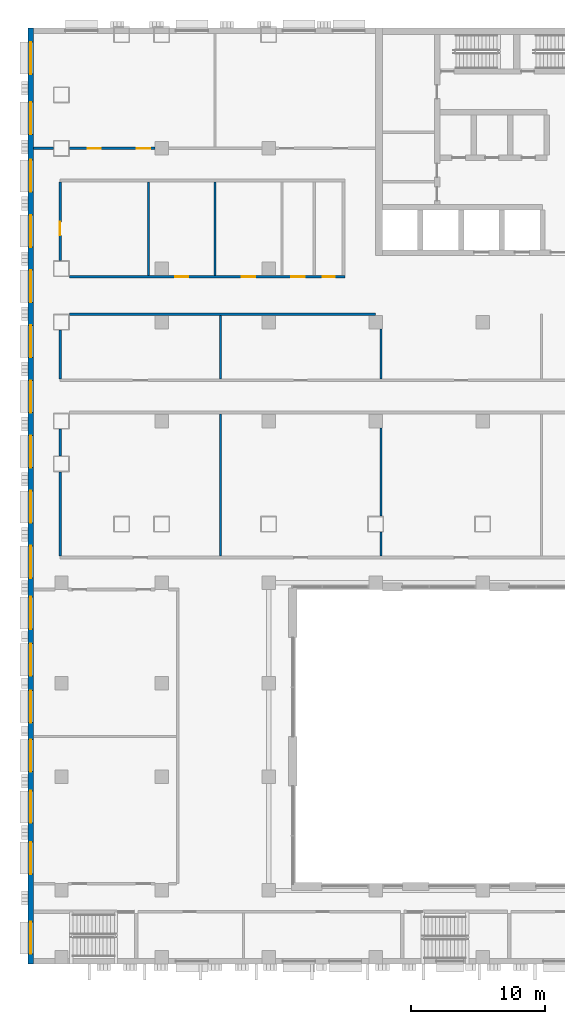
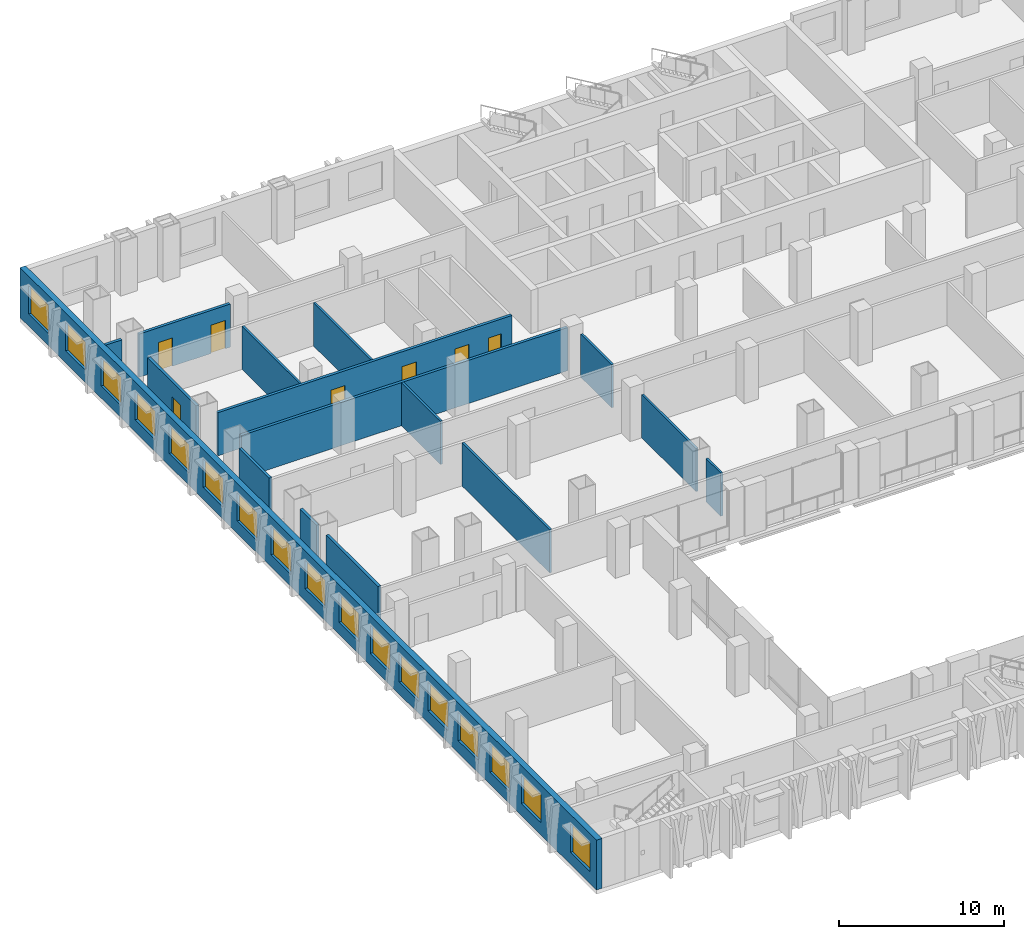
# One storey, part 10 of 24: 17 windows, 16 walls, 7 doors, 24 openings.
"""IFC4 building model written with IfcOpenShell, lengths in metres."""

from ifc_helpers import new_model, si_unit, direction, frame, frame_2d, origin, place, context, subcontext, project, spatial, rectangle, extrude, material, layer, layer_set, type_object, element, fill, save


model = new_model("IFC4")

# Units and contexts
model_context = context("Model", 3, precision=1e-05, world=origin(), true_north=direction((0.0, 1.0)))
body_context = subcontext(model_context, "Body", "Model", "MODEL_VIEW")
ifc_project = project(units=[si_unit("LENGTHUNIT", "METRE"), si_unit("AREAUNIT", "SQUARE_METRE"), si_unit("VOLUMEUNIT", "CUBIC_METRE"), si_unit("PLANEANGLEUNIT", "RADIAN"), si_unit("MASSUNIT", "GRAM", prefix="KILO")], contexts=[model_context])

# Site, building, storey
site_placement = place(None, origin())
site = spatial("IfcSite", under=ifc_project, at=site_placement, CompositionType="ELEMENT")
building_placement = place(site_placement, origin())
building = spatial("IfcBuilding", under=site, at=building_placement, Name="Vidyagriha Tower", CompositionType="ELEMENT")
storey_placement = place(building_placement, frame((0.0, 0.0, 22.0)))
storey = spatial("IfcBuildingStorey", under=building, at=storey_placement, Name="L05", CompositionType="ELEMENT", Elevation=22.0)

# Wall, openings, windows
ifc_material_1 = material(Name="Concrete C40/50 board-marked with brick facing", Category="concrete")
ifc_layer_1 = layer(ifc_material_1, 0.39990234375)
ifc_layer_set_1 = layer_set([ifc_layer_1], Name="Concrete C40/50 board-marked with brick facing")
wall_type_1 = type_object("IfcWallType", Name="Brick-faced board-marked concrete podium wall 400", PredefinedType="STANDARD", material=ifc_layer_set_1)
wall_1_placement = place(storey_placement, frame((-39.800048828125, 20.0, 0.0), z_axis=(0.0, 0.0, 1.0), x_axis=(0.0, -1.0, 0.0)))
wall_1 = element("IfcWall", 1, at=wall_1_placement, inside=storey, type_object=wall_type_1, Name="Podium wall L05 R05", PredefinedType="STANDARD", context=body_context, shape_type="SweptSolid", body=[
    extrude(rectangle(XDim=70.0, YDim=0.39990234375, at=frame_2d((35.0, 0.0))), origin(), (0.0, 0.0, 1.0), 3.699951171875),
])
opening_1_placement = place(wall_1_placement, frame((1.050048828125, 0.0, 0.89990234375)))
opening_1 = element("IfcOpeningElement", 2, at=opening_1_placement, cuts=wall_1, Name="Opening WN3", PredefinedType="OPENING", context=body_context, shape_type="SweptSolid", body=[
    extrude(rectangle(XDim=2.39990234375, YDim=2.10009765625, at=frame_2d((1.199951171875, 1.050048828125))), frame((0.0, 0.2099609375, 0.0), z_axis=(0.0, -1.0, 0.0), x_axis=(1.0, 0.0, 0.0)), (0.0, 0.0, 1.0), 0.419921875),
])
opening_2_placement = place(wall_1_placement, frame((5.550048828125, 0.0, 0.89990234375)))
opening_2 = element("IfcOpeningElement", 3, at=opening_2_placement, cuts=wall_1, Name="Opening WN3", PredefinedType="OPENING", context=body_context, shape_type="SweptSolid", body=[
    extrude(rectangle(XDim=2.39990234375, YDim=2.10009765625, at=frame_2d((1.199951171875, 1.050048828125))), frame((0.0, 0.2099609375, 0.0), z_axis=(0.0, -1.0, 0.0), x_axis=(1.0, 0.0, 0.0)), (0.0, 0.0, 1.0), 0.419921875),
])
opening_3_placement = place(wall_1_placement, frame((9.862548828125, 0.0, 0.89990234375)))
opening_3 = element("IfcOpeningElement", 4, at=opening_3_placement, cuts=wall_1, Name="Opening WN3", PredefinedType="OPENING", context=body_context, shape_type="SweptSolid", body=[
    extrude(rectangle(XDim=2.39990234375, YDim=2.10009765625, at=frame_2d((1.199951171875, 1.050048828125))), frame((0.0, 0.2099609375, 0.0), z_axis=(0.0, -1.0, 0.0), x_axis=(1.0, 0.0, 0.0)), (0.0, 0.0, 1.0), 0.419921875),
])
opening_4_placement = place(wall_1_placement, frame((13.987548828125, 0.0, 0.89990234375)))
opening_4 = element("IfcOpeningElement", 5, at=opening_4_placement, cuts=wall_1, Name="Opening WN3", PredefinedType="OPENING", context=body_context, shape_type="SweptSolid", body=[
    extrude(rectangle(XDim=2.39990234375, YDim=2.10009765625, at=frame_2d((1.199951171875, 1.050048828125))), frame((0.0, 0.2099609375, 0.0), z_axis=(0.0, -1.0, 0.0), x_axis=(1.0, 0.0, 0.0)), (0.0, 0.0, 1.0), 0.419921875),
])
opening_5_placement = place(wall_1_placement, frame((18.112548828125, 0.0, 0.89990234375)))
opening_5 = element("IfcOpeningElement", 6, at=opening_5_placement, cuts=wall_1, Name="Opening WN3", PredefinedType="OPENING", context=body_context, shape_type="SweptSolid", body=[
    extrude(rectangle(XDim=2.39990234375, YDim=2.10009765625, at=frame_2d((1.199951171875, 1.050048828125))), frame((0.0, 0.2099609375, 0.0), z_axis=(0.0, -1.0, 0.0), x_axis=(1.0, 0.0, 0.0)), (0.0, 0.0, 1.0), 0.419921875),
])
opening_6_placement = place(wall_1_placement, frame((22.237548828125, 0.0, 0.89990234375)))
opening_6 = element("IfcOpeningElement", 7, at=opening_6_placement, cuts=wall_1, Name="Opening WN3", PredefinedType="OPENING", context=body_context, shape_type="SweptSolid", body=[
    extrude(rectangle(XDim=2.39990234375, YDim=2.10009765625, at=frame_2d((1.199951171875, 1.050048828125))), frame((0.0, 0.2099609375, 0.0), z_axis=(0.0, -1.0, 0.0), x_axis=(1.0, 0.0, 0.0)), (0.0, 0.0, 1.0), 0.419921875),
])
opening_7_placement = place(wall_1_placement, frame((26.362548828125, 0.0, 0.89990234375)))
opening_7 = element("IfcOpeningElement", 8, at=opening_7_placement, cuts=wall_1, Name="Opening WN3", PredefinedType="OPENING", context=body_context, shape_type="SweptSolid", body=[
    extrude(rectangle(XDim=2.39990234375, YDim=2.10009765625, at=frame_2d((1.199951171875, 1.050048828125))), frame((0.0, 0.2099609375, 0.0), z_axis=(0.0, -1.0, 0.0), x_axis=(1.0, 0.0, 0.0)), (0.0, 0.0, 1.0), 0.419921875),
])
opening_8_placement = place(wall_1_placement, frame((30.487548828125, 0.0, 0.89990234375)))
opening_8 = element("IfcOpeningElement", 9, at=opening_8_placement, cuts=wall_1, Name="Opening WN3", PredefinedType="OPENING", context=body_context, shape_type="SweptSolid", body=[
    extrude(rectangle(XDim=2.39990234375, YDim=2.10009765625, at=frame_2d((1.199951171875, 1.050048828125))), frame((0.0, 0.2099609375, 0.0), z_axis=(0.0, -1.0, 0.0), x_axis=(1.0, 0.0, 0.0)), (0.0, 0.0, 1.0), 0.419921875),
])
opening_9_placement = place(wall_1_placement, frame((34.612548828125, 0.0, 0.89990234375)))
opening_9 = element("IfcOpeningElement", 10, at=opening_9_placement, cuts=wall_1, Name="Opening WN3", PredefinedType="OPENING", context=body_context, shape_type="SweptSolid", body=[
    extrude(rectangle(XDim=2.39990234375, YDim=2.10009765625, at=frame_2d((1.199951171875, 1.050048828125))), frame((0.0, 0.2099609375, 0.0), z_axis=(0.0, -1.0, 0.0), x_axis=(1.0, 0.0, 0.0)), (0.0, 0.0, 1.0), 0.419921875),
])
opening_10_placement = place(wall_1_placement, frame((38.737548828125, 0.0, 0.89990234375)))
opening_10 = element("IfcOpeningElement", 11, at=opening_10_placement, cuts=wall_1, Name="Opening WN3", PredefinedType="OPENING", context=body_context, shape_type="SweptSolid", body=[
    extrude(rectangle(XDim=2.39990234375, YDim=2.10009765625, at=frame_2d((1.199951171875, 1.050048828125))), frame((0.0, 0.2099609375, 0.0), z_axis=(0.0, -1.0, 0.0), x_axis=(1.0, 0.0, 0.0)), (0.0, 0.0, 1.0), 0.419921875),
])
opening_11_placement = place(wall_1_placement, frame((42.550048828125, 0.0, 0.89990234375)))
opening_11 = element("IfcOpeningElement", 12, at=opening_11_placement, cuts=wall_1, Name="Opening WN3", PredefinedType="OPENING", context=body_context, shape_type="SweptSolid", body=[
    extrude(rectangle(XDim=2.39990234375, YDim=2.10009765625, at=frame_2d((1.199951171875, 1.050048828125))), frame((0.0, 0.2099609375, 0.0), z_axis=(0.0, -1.0, 0.0), x_axis=(1.0, 0.0, 0.0)), (0.0, 0.0, 1.0), 0.419921875),
])
opening_12_placement = place(wall_1_placement, frame((46.050048828125, 0.0, 0.89990234375)))
opening_12 = element("IfcOpeningElement", 13, at=opening_12_placement, cuts=wall_1, Name="Opening WN3", PredefinedType="OPENING", context=body_context, shape_type="SweptSolid", body=[
    extrude(rectangle(XDim=2.39990234375, YDim=2.10009765625, at=frame_2d((1.199951171875, 1.050048828125))), frame((0.0, 0.2099609375, 0.0), z_axis=(0.0, -1.0, 0.0), x_axis=(1.0, 0.0, 0.0)), (0.0, 0.0, 1.0), 0.419921875),
])
opening_13_placement = place(wall_1_placement, frame((49.550048828125, 0.0, 0.89990234375)))
opening_13 = element("IfcOpeningElement", 14, at=opening_13_placement, cuts=wall_1, Name="Opening WN3", PredefinedType="OPENING", context=body_context, shape_type="SweptSolid", body=[
    extrude(rectangle(XDim=2.39990234375, YDim=2.10009765625, at=frame_2d((1.199951171875, 1.050048828125))), frame((0.0, 0.2099609375, 0.0), z_axis=(0.0, -1.0, 0.0), x_axis=(1.0, 0.0, 0.0)), (0.0, 0.0, 1.0), 0.419921875),
])
opening_14_placement = place(wall_1_placement, frame((53.216796875, 0.0, 0.89990234375)))
opening_14 = element("IfcOpeningElement", 15, at=opening_14_placement, cuts=wall_1, Name="Opening WN3", PredefinedType="OPENING", context=body_context, shape_type="SweptSolid", body=[
    extrude(rectangle(XDim=2.39990234375, YDim=2.10009765625, at=frame_2d((1.199951171875, 1.050048828125))), frame((0.0, 0.2099609375, 0.0), z_axis=(0.0, -1.0, 0.0), x_axis=(1.0, 0.0, 0.0)), (0.0, 0.0, 1.0), 0.419921875),
])
opening_15_placement = place(wall_1_placement, frame((57.050048828125, 0.0, 0.89990234375)))
opening_15 = element("IfcOpeningElement", 16, at=opening_15_placement, cuts=wall_1, Name="Opening WN3", PredefinedType="OPENING", context=body_context, shape_type="SweptSolid", body=[
    extrude(rectangle(XDim=2.39990234375, YDim=2.10009765625, at=frame_2d((1.199951171875, 1.050048828125))), frame((0.0, 0.2099609375, 0.0), z_axis=(0.0, -1.0, 0.0), x_axis=(1.0, 0.0, 0.0)), (0.0, 0.0, 1.0), 0.419921875),
])
opening_16_placement = place(wall_1_placement, frame((60.88330078125, 0.0, 0.89990234375)))
opening_16 = element("IfcOpeningElement", 17, at=opening_16_placement, cuts=wall_1, Name="Opening WN3", PredefinedType="OPENING", context=body_context, shape_type="SweptSolid", body=[
    extrude(rectangle(XDim=2.39990234375, YDim=2.10009765625, at=frame_2d((1.199951171875, 1.050048828125))), frame((0.0, 0.2099609375, 0.0), z_axis=(0.0, -1.0, 0.0), x_axis=(1.0, 0.0, 0.0)), (0.0, 0.0, 1.0), 0.419921875),
])
opening_17_placement = place(wall_1_placement, frame((66.85009765625, 0.0, 0.89990234375)))
opening_17 = element("IfcOpeningElement", 18, at=opening_17_placement, cuts=wall_1, Name="Opening WN3", PredefinedType="OPENING", context=body_context, shape_type="SweptSolid", body=[
    extrude(rectangle(XDim=2.39990234375, YDim=2.10009765625, at=frame_2d((1.199951171875, 1.050048828125))), frame((0.0, 0.2099609375, 0.0), z_axis=(0.0, -1.0, 0.0), x_axis=(1.0, 0.0, 0.0)), (0.0, 0.0, 1.0), 0.419921875),
])
ifc_material_2 = material(Name="Aluminium and glass window", Category="aluminium")
window_type = type_object("IfcWindowType", Name="Podium school window 2400x2100", PartitioningType="NOTDEFINED", PredefinedType="WINDOW", material=ifc_material_2)
window_1_placement = place(opening_1_placement, origin())
window_1 = element("IfcWindow", 19, at=window_1_placement, inside=storey, type_object=window_type, Name="School window L05 R05.1", OverallHeight=2.10009765625, OverallWidth=2.39990234375, PartitioningType="SINGLE_PANEL", PredefinedType="WINDOW", context=body_context, shape_type="SweptSolid", body=[
    extrude(rectangle(XDim=2.39990234375, YDim=2.10009765625, at=frame_2d((1.199951171875, 1.050048828125))), frame((0.0, 0.030029296875, 0.0), z_axis=(0.0, -1.0, 0.0), x_axis=(1.0, 0.0, 0.0)), (0.0, 0.0, 1.0), 0.06005859375),
])
fill(opening_1, window_1)
window_2_placement = place(opening_2_placement, origin())
window_2 = element("IfcWindow", 20, at=window_2_placement, inside=storey, type_object=window_type, Name="School window L05 R05.2", OverallHeight=2.10009765625, OverallWidth=2.39990234375, PartitioningType="SINGLE_PANEL", PredefinedType="WINDOW", context=body_context, shape_type="SweptSolid", body=[
    extrude(rectangle(XDim=2.39990234375, YDim=2.10009765625, at=frame_2d((1.199951171875, 1.050048828125))), frame((0.0, 0.030029296875, 0.0), z_axis=(0.0, -1.0, 0.0), x_axis=(1.0, 0.0, 0.0)), (0.0, 0.0, 1.0), 0.06005859375),
])
fill(opening_2, window_2)
window_3_placement = place(opening_3_placement, origin())
window_3 = element("IfcWindow", 21, at=window_3_placement, inside=storey, type_object=window_type, Name="School window L05 R05.3", OverallHeight=2.10009765625, OverallWidth=2.39990234375, PartitioningType="SINGLE_PANEL", PredefinedType="WINDOW", context=body_context, shape_type="SweptSolid", body=[
    extrude(rectangle(XDim=2.39990234375, YDim=2.10009765625, at=frame_2d((1.199951171875, 1.050048828125))), frame((0.0, 0.030029296875, 0.0), z_axis=(0.0, -1.0, 0.0), x_axis=(1.0, 0.0, 0.0)), (0.0, 0.0, 1.0), 0.06005859375),
])
fill(opening_3, window_3)
window_4_placement = place(opening_4_placement, origin())
window_4 = element("IfcWindow", 22, at=window_4_placement, inside=storey, type_object=window_type, Name="School window L05 R05.4", OverallHeight=2.10009765625, OverallWidth=2.39990234375, PartitioningType="SINGLE_PANEL", PredefinedType="WINDOW", context=body_context, shape_type="SweptSolid", body=[
    extrude(rectangle(XDim=2.39990234375, YDim=2.10009765625, at=frame_2d((1.199951171875, 1.050048828125))), frame((0.0, 0.030029296875, 0.0), z_axis=(0.0, -1.0, 0.0), x_axis=(1.0, 0.0, 0.0)), (0.0, 0.0, 1.0), 0.06005859375),
])
fill(opening_4, window_4)
window_5_placement = place(opening_5_placement, origin())
window_5 = element("IfcWindow", 23, at=window_5_placement, inside=storey, type_object=window_type, Name="School window L05 R05.5", OverallHeight=2.10009765625, OverallWidth=2.39990234375, PartitioningType="SINGLE_PANEL", PredefinedType="WINDOW", context=body_context, shape_type="SweptSolid", body=[
    extrude(rectangle(XDim=2.39990234375, YDim=2.10009765625, at=frame_2d((1.199951171875, 1.050048828125))), frame((0.0, 0.030029296875, 0.0), z_axis=(0.0, -1.0, 0.0), x_axis=(1.0, 0.0, 0.0)), (0.0, 0.0, 1.0), 0.06005859375),
])
fill(opening_5, window_5)
window_6_placement = place(opening_6_placement, origin())
window_6 = element("IfcWindow", 24, at=window_6_placement, inside=storey, type_object=window_type, Name="School window L05 R05.6", OverallHeight=2.10009765625, OverallWidth=2.39990234375, PartitioningType="SINGLE_PANEL", PredefinedType="WINDOW", context=body_context, shape_type="SweptSolid", body=[
    extrude(rectangle(XDim=2.39990234375, YDim=2.10009765625, at=frame_2d((1.199951171875, 1.050048828125))), frame((0.0, 0.030029296875, 0.0), z_axis=(0.0, -1.0, 0.0), x_axis=(1.0, 0.0, 0.0)), (0.0, 0.0, 1.0), 0.06005859375),
])
fill(opening_6, window_6)
window_7_placement = place(opening_7_placement, origin())
window_7 = element("IfcWindow", 25, at=window_7_placement, inside=storey, type_object=window_type, Name="School window L05 R05.7", OverallHeight=2.10009765625, OverallWidth=2.39990234375, PartitioningType="SINGLE_PANEL", PredefinedType="WINDOW", context=body_context, shape_type="SweptSolid", body=[
    extrude(rectangle(XDim=2.39990234375, YDim=2.10009765625, at=frame_2d((1.199951171875, 1.050048828125))), frame((0.0, 0.030029296875, 0.0), z_axis=(0.0, -1.0, 0.0), x_axis=(1.0, 0.0, 0.0)), (0.0, 0.0, 1.0), 0.06005859375),
])
fill(opening_7, window_7)
window_8_placement = place(opening_8_placement, origin())
window_8 = element("IfcWindow", 26, at=window_8_placement, inside=storey, type_object=window_type, Name="School window L05 R05.8", OverallHeight=2.10009765625, OverallWidth=2.39990234375, PartitioningType="SINGLE_PANEL", PredefinedType="WINDOW", context=body_context, shape_type="SweptSolid", body=[
    extrude(rectangle(XDim=2.39990234375, YDim=2.10009765625, at=frame_2d((1.199951171875, 1.050048828125))), frame((0.0, 0.030029296875, 0.0), z_axis=(0.0, -1.0, 0.0), x_axis=(1.0, 0.0, 0.0)), (0.0, 0.0, 1.0), 0.06005859375),
])
fill(opening_8, window_8)
window_9_placement = place(opening_9_placement, origin())
window_9 = element("IfcWindow", 27, at=window_9_placement, inside=storey, type_object=window_type, Name="School window L05 R05.9", OverallHeight=2.10009765625, OverallWidth=2.39990234375, PartitioningType="SINGLE_PANEL", PredefinedType="WINDOW", context=body_context, shape_type="SweptSolid", body=[
    extrude(rectangle(XDim=2.39990234375, YDim=2.10009765625, at=frame_2d((1.199951171875, 1.050048828125))), frame((0.0, 0.030029296875, 0.0), z_axis=(0.0, -1.0, 0.0), x_axis=(1.0, 0.0, 0.0)), (0.0, 0.0, 1.0), 0.06005859375),
])
fill(opening_9, window_9)
window_10_placement = place(opening_10_placement, origin())
window_10 = element("IfcWindow", 28, at=window_10_placement, inside=storey, type_object=window_type, Name="School window L05 R05.10", OverallHeight=2.10009765625, OverallWidth=2.39990234375, PartitioningType="SINGLE_PANEL", PredefinedType="WINDOW", context=body_context, shape_type="SweptSolid", body=[
    extrude(rectangle(XDim=2.39990234375, YDim=2.10009765625, at=frame_2d((1.199951171875, 1.050048828125))), frame((0.0, 0.030029296875, 0.0), z_axis=(0.0, -1.0, 0.0), x_axis=(1.0, 0.0, 0.0)), (0.0, 0.0, 1.0), 0.06005859375),
])
fill(opening_10, window_10)
window_11_placement = place(opening_11_placement, origin())
window_11 = element("IfcWindow", 29, at=window_11_placement, inside=storey, type_object=window_type, Name="School window L05 R05.11", OverallHeight=2.10009765625, OverallWidth=2.39990234375, PartitioningType="SINGLE_PANEL", PredefinedType="WINDOW", context=body_context, shape_type="SweptSolid", body=[
    extrude(rectangle(XDim=2.39990234375, YDim=2.10009765625, at=frame_2d((1.199951171875, 1.050048828125))), frame((0.0, 0.030029296875, 0.0), z_axis=(0.0, -1.0, 0.0), x_axis=(1.0, 0.0, 0.0)), (0.0, 0.0, 1.0), 0.06005859375),
])
fill(opening_11, window_11)
window_12_placement = place(opening_12_placement, origin())
window_12 = element("IfcWindow", 30, at=window_12_placement, inside=storey, type_object=window_type, Name="School window L05 R05.12", OverallHeight=2.10009765625, OverallWidth=2.39990234375, PartitioningType="SINGLE_PANEL", PredefinedType="WINDOW", context=body_context, shape_type="SweptSolid", body=[
    extrude(rectangle(XDim=2.39990234375, YDim=2.10009765625, at=frame_2d((1.199951171875, 1.050048828125))), frame((0.0, 0.030029296875, 0.0), z_axis=(0.0, -1.0, 0.0), x_axis=(1.0, 0.0, 0.0)), (0.0, 0.0, 1.0), 0.06005859375),
])
fill(opening_12, window_12)
window_13_placement = place(opening_13_placement, origin())
window_13 = element("IfcWindow", 31, at=window_13_placement, inside=storey, type_object=window_type, Name="School window L05 R05.13", OverallHeight=2.10009765625, OverallWidth=2.39990234375, PartitioningType="SINGLE_PANEL", PredefinedType="WINDOW", context=body_context, shape_type="SweptSolid", body=[
    extrude(rectangle(XDim=2.39990234375, YDim=2.10009765625, at=frame_2d((1.199951171875, 1.050048828125))), frame((0.0, 0.030029296875, 0.0), z_axis=(0.0, -1.0, 0.0), x_axis=(1.0, 0.0, 0.0)), (0.0, 0.0, 1.0), 0.06005859375),
])
fill(opening_13, window_13)
window_14_placement = place(opening_14_placement, origin())
window_14 = element("IfcWindow", 32, at=window_14_placement, inside=storey, type_object=window_type, Name="School window L05 R05.14", OverallHeight=2.10009765625, OverallWidth=2.39990234375, PartitioningType="SINGLE_PANEL", PredefinedType="WINDOW", context=body_context, shape_type="SweptSolid", body=[
    extrude(rectangle(XDim=2.39990234375, YDim=2.10009765625, at=frame_2d((1.199951171875, 1.050048828125))), frame((0.0, 0.030029296875, 0.0), z_axis=(0.0, -1.0, 0.0), x_axis=(1.0, 0.0, 0.0)), (0.0, 0.0, 1.0), 0.06005859375),
])
fill(opening_14, window_14)
window_15_placement = place(opening_15_placement, origin())
window_15 = element("IfcWindow", 33, at=window_15_placement, inside=storey, type_object=window_type, Name="School window L05 R05.15", OverallHeight=2.10009765625, OverallWidth=2.39990234375, PartitioningType="SINGLE_PANEL", PredefinedType="WINDOW", context=body_context, shape_type="SweptSolid", body=[
    extrude(rectangle(XDim=2.39990234375, YDim=2.10009765625, at=frame_2d((1.199951171875, 1.050048828125))), frame((0.0, 0.030029296875, 0.0), z_axis=(0.0, -1.0, 0.0), x_axis=(1.0, 0.0, 0.0)), (0.0, 0.0, 1.0), 0.06005859375),
])
fill(opening_15, window_15)
window_16_placement = place(opening_16_placement, origin())
window_16 = element("IfcWindow", 34, at=window_16_placement, inside=storey, type_object=window_type, Name="School window L05 R05.16", OverallHeight=2.10009765625, OverallWidth=2.39990234375, PartitioningType="SINGLE_PANEL", PredefinedType="WINDOW", context=body_context, shape_type="SweptSolid", body=[
    extrude(rectangle(XDim=2.39990234375, YDim=2.10009765625, at=frame_2d((1.199951171875, 1.050048828125))), frame((0.0, 0.030029296875, 0.0), z_axis=(0.0, -1.0, 0.0), x_axis=(1.0, 0.0, 0.0)), (0.0, 0.0, 1.0), 0.06005859375),
])
fill(opening_16, window_16)
window_17_placement = place(opening_17_placement, origin())
window_17 = element("IfcWindow", 35, at=window_17_placement, inside=storey, type_object=window_type, Name="School window L05 R05.18", OverallHeight=2.10009765625, OverallWidth=2.39990234375, PartitioningType="SINGLE_PANEL", PredefinedType="WINDOW", context=body_context, shape_type="SweptSolid", body=[
    extrude(rectangle(XDim=2.39990234375, YDim=2.10009765625, at=frame_2d((1.199951171875, 1.050048828125))), frame((0.0, 0.030029296875, 0.0), z_axis=(0.0, -1.0, 0.0), x_axis=(1.0, 0.0, 0.0)), (0.0, 0.0, 1.0), 0.06005859375),
])
fill(opening_17, window_17)

# Wall
ifc_material_3 = material(Name="Fire rated gypsum board on light gauge framing")
ifc_layer_2 = layer(ifc_material_3, 0.199951171875)
ifc_layer_set_2 = layer_set([ifc_layer_2], Name="Fire rated gypsum board on light gauge framing")
wall_type_2 = type_object("IfcWallType", Name="Fire Rated Corridor Wall 200", PredefinedType="PARTITIONING", material=ifc_layer_set_2)
wall_2_placement = place(storey_placement, frame((-36.89990234375, -1.39990234375, 0.0)))
element("IfcWall", 36, at=wall_2_placement, inside=storey, type_object=wall_type_2, Name="L05 Fire Rated Corridor Wall 200 024", PredefinedType="PARTITIONING", context=body_context, shape_type="SweptSolid", body=[
    extrude(rectangle(XDim=22.89990234375, YDim=0.199951171875, at=frame_2d((11.449951171875, 0.0))), origin(), (0.0, 0.0, 1.0), 3.199951171875),
])

# Wall, openings, doors
wall_3_placement = place(storey_placement, frame((-36.89990234375, 1.39990234375, 0.0)))
wall_3 = element("IfcWall", 37, at=wall_3_placement, inside=storey, type_object=wall_type_2, Name="L05 Fire Rated Corridor Wall 200 026", PredefinedType="PARTITIONING", context=body_context, shape_type="SweptSolid", body=[
    extrude(rectangle(XDim=20.599853515625, YDim=0.199951171875, at=frame_2d((10.2998046875, 0.0))), origin(), (0.0, 0.0, 1.0), 3.199951171875),
])
opening_18_placement = place(wall_3_placement, frame((7.89990234375, 0.0, 0.0)))
opening_18 = element("IfcOpeningElement", 38, at=opening_18_placement, cuts=wall_3, Name="Opening D05-40", PredefinedType="OPENING", context=body_context, shape_type="SweptSolid", body=[
    extrude(rectangle(XDim=1.0, YDim=2.10009765625, at=frame_2d((0.5, 1.050048828125))), frame((0.0, 0.10986328125, 0.0), z_axis=(0.0, -1.0, 0.0), x_axis=(1.0, 0.0, 0.0)), (0.0, 0.0, 1.0), 0.219970703125),
])
opening_19_placement = place(wall_3_placement, frame((12.89990234375, 0.0, 0.0)))
opening_19 = element("IfcOpeningElement", 39, at=opening_19_placement, cuts=wall_3, Name="Opening D05-41", PredefinedType="OPENING", context=body_context, shape_type="SweptSolid", body=[
    extrude(rectangle(XDim=1.0, YDim=2.10009765625, at=frame_2d((0.5, 1.050048828125))), frame((0.0, 0.10986328125, 0.0), z_axis=(0.0, -1.0, 0.0), x_axis=(1.0, 0.0, 0.0)), (0.0, 0.0, 1.0), 0.219970703125),
])
opening_20_placement = place(wall_3_placement, frame((16.60009765625, 0.0, 0.0)))
opening_20 = element("IfcOpeningElement", 40, at=opening_20_placement, cuts=wall_3, Name="Opening D05-42", PredefinedType="OPENING", context=body_context, shape_type="SweptSolid", body=[
    extrude(rectangle(XDim=1.0, YDim=2.10009765625, at=frame_2d((0.5, 1.050048828125))), frame((0.0, 0.10986328125, 0.0), z_axis=(0.0, -1.0, 0.0), x_axis=(1.0, 0.0, 0.0)), (0.0, 0.0, 1.0), 0.219970703125),
])
opening_21_placement = place(wall_3_placement, frame((18.949951171875, 0.0, 0.0)))
opening_21 = element("IfcOpeningElement", 41, at=opening_21_placement, cuts=wall_3, Name="Opening D05-43", PredefinedType="OPENING", context=body_context, shape_type="SweptSolid", body=[
    extrude(rectangle(XDim=0.89990234375, YDim=2.10009765625, at=frame_2d((0.449951171875, 1.050048828125))), frame((0.0, 0.10986328125, 0.0), z_axis=(0.0, -1.0, 0.0), x_axis=(1.0, 0.0, 0.0)), (0.0, 0.0, 1.0), 0.219970703125),
])
ifc_material_4 = material(Name="Steel fire door set", Category="steel")
door_type_1 = type_object("IfcDoorType", Name="Podium Door 1000x2100 EI 30", OperationType="NOTDEFINED", PredefinedType="DOOR", material=ifc_material_4)
door_1_placement = place(opening_18_placement, origin())
door_1 = element("IfcDoor", 42, at=door_1_placement, inside=storey, type_object=door_type_1, Name="L05 door D05-40", OperationType="SINGLE_SWING_LEFT", OverallHeight=2.10009765625, OverallWidth=1.0, PredefinedType="DOOR", context=body_context, shape_type="SweptSolid", body=[
    extrude(rectangle(XDim=1.0, YDim=2.10009765625, at=frame_2d((0.5, 1.050048828125))), frame((0.0, 0.02490234375, 0.0), z_axis=(0.0, -1.0, 0.0), x_axis=(1.0, 0.0, 0.0)), (0.0, 0.0, 1.0), 0.050048828125),
])
fill(opening_18, door_1)
door_2_placement = place(opening_19_placement, origin())
door_2 = element("IfcDoor", 43, at=door_2_placement, inside=storey, type_object=door_type_1, Name="L05 door D05-41", OperationType="SINGLE_SWING_RIGHT", OverallHeight=2.10009765625, OverallWidth=1.0, PredefinedType="DOOR", context=body_context, shape_type="SweptSolid", body=[
    extrude(rectangle(XDim=1.0, YDim=2.10009765625, at=frame_2d((0.5, 1.050048828125))), frame((0.0, 0.02490234375, 0.0), z_axis=(0.0, -1.0, 0.0), x_axis=(1.0, 0.0, 0.0)), (0.0, 0.0, 1.0), 0.050048828125),
])
fill(opening_19, door_2)
door_3_placement = place(opening_20_placement, origin())
door_3 = element("IfcDoor", 44, at=door_3_placement, inside=storey, type_object=door_type_1, Name="L05 door D05-42", OperationType="SINGLE_SWING_RIGHT", OverallHeight=2.10009765625, OverallWidth=1.0, PredefinedType="DOOR", context=body_context, shape_type="SweptSolid", body=[
    extrude(rectangle(XDim=1.0, YDim=2.10009765625, at=frame_2d((0.5, 1.050048828125))), frame((0.0, 0.02490234375, 0.0), z_axis=(0.0, -1.0, 0.0), x_axis=(1.0, 0.0, 0.0)), (0.0, 0.0, 1.0), 0.050048828125),
])
fill(opening_20, door_3)
ifc_material_5 = material(Name="Steel fire door set", Category="steel")
door_type_2 = type_object("IfcDoorType", Name="Podium Door 900x2100 EI 30", OperationType="NOTDEFINED", PredefinedType="DOOR", material=ifc_material_5)
door_4_placement = place(opening_21_placement, origin())
door_4 = element("IfcDoor", 45, at=door_4_placement, inside=storey, type_object=door_type_2, Name="L05 door D05-43", OperationType="SINGLE_SWING_RIGHT", OverallHeight=2.10009765625, OverallWidth=0.89990234375, PredefinedType="DOOR", context=body_context, shape_type="SweptSolid", body=[
    extrude(rectangle(XDim=0.89990234375, YDim=2.10009765625, at=frame_2d((0.449951171875, 1.050048828125))), frame((0.0, 0.02490234375, 0.0), z_axis=(0.0, -1.0, 0.0), x_axis=(1.0, 0.0, 0.0)), (0.0, 0.0, 1.0), 0.050048828125),
])
fill(opening_21, door_4)

# Wall
wall_4_placement = place(storey_placement, frame((-39.60009765625, 11.0, 0.0)))
element("IfcWall", 46, at=wall_4_placement, inside=storey, type_object=wall_type_2, Name="L05 Fire Rated Corridor Wall 200 030", PredefinedType="PARTITIONING", context=body_context, shape_type="SweptSolid", body=[
    extrude(rectangle(XDim=1.5, YDim=0.199951171875, at=frame_2d((0.75, 0.0))), origin(), (0.0, 0.0, 1.0), 3.199951171875),
])

# Wall, openings, doors
wall_5_placement = place(storey_placement, frame((-36.89990234375, 11.0, 0.0)))
wall_5 = element("IfcWall", 47, at=wall_5_placement, inside=storey, type_object=wall_type_2, Name="L05 Fire Rated Corridor Wall 200 031", PredefinedType="PARTITIONING", context=body_context, shape_type="SweptSolid", body=[
    extrude(rectangle(XDim=6.39990234375, YDim=0.199951171875, at=frame_2d((3.199951171875, 0.0))), origin(), (0.0, 0.0, 1.0), 3.199951171875),
])
opening_22_placement = place(wall_5_placement, frame((1.35205078125, 0.0, 0.0)))
opening_22 = element("IfcOpeningElement", 48, at=opening_22_placement, cuts=wall_5, Name="Opening D05-49", PredefinedType="OPENING", context=body_context, shape_type="SweptSolid", body=[
    extrude(rectangle(XDim=1.0, YDim=2.10009765625, at=frame_2d((0.5, 1.050048828125))), frame((0.0, 0.10986328125, 0.0), z_axis=(0.0, -1.0, 0.0), x_axis=(1.0, 0.0, 0.0)), (0.0, 0.0, 1.0), 0.219970703125),
])
opening_23_placement = place(wall_5_placement, frame((5.050048828125, 0.0, 0.0)))
opening_23 = element("IfcOpeningElement", 49, at=opening_23_placement, cuts=wall_5, Name="Opening D05-50", PredefinedType="OPENING", context=body_context, shape_type="SweptSolid", body=[
    extrude(rectangle(XDim=1.0, YDim=2.10009765625, at=frame_2d((0.5, 1.050048828125))), frame((0.0, 0.10986328125, 0.0), z_axis=(0.0, -1.0, 0.0), x_axis=(1.0, 0.0, 0.0)), (0.0, 0.0, 1.0), 0.219970703125),
])
door_5_placement = place(opening_22_placement, origin())
door_5 = element("IfcDoor", 50, at=door_5_placement, inside=storey, type_object=door_type_1, Name="L05 door D05-49", OperationType="SINGLE_SWING_LEFT", OverallHeight=2.10009765625, OverallWidth=1.0, PredefinedType="DOOR", context=body_context, shape_type="SweptSolid", body=[
    extrude(rectangle(XDim=1.0, YDim=2.10009765625, at=frame_2d((0.5, 1.050048828125))), frame((0.0, 0.02490234375, 0.0), z_axis=(0.0, -1.0, 0.0), x_axis=(1.0, 0.0, 0.0)), (0.0, 0.0, 1.0), 0.050048828125),
])
fill(opening_22, door_5)
door_6_placement = place(opening_23_placement, origin())
door_6 = element("IfcDoor", 51, at=door_6_placement, inside=storey, type_object=door_type_1, Name="L05 door D05-50", OperationType="SINGLE_SWING_RIGHT", OverallHeight=2.10009765625, OverallWidth=1.0, PredefinedType="DOOR", context=body_context, shape_type="SweptSolid", body=[
    extrude(rectangle(XDim=1.0, YDim=2.10009765625, at=frame_2d((0.5, 1.050048828125))), frame((0.0, 0.02490234375, 0.0), z_axis=(0.0, -1.0, 0.0), x_axis=(1.0, 0.0, 0.0)), (0.0, 0.0, 1.0), 0.050048828125),
])
fill(opening_23, door_6)

# Walls
wall_6_placement = place(storey_placement, frame((-37.60009765625, -19.5, 0.0), z_axis=(0.0, 0.0, 1.0), x_axis=(0.0, 1.0, 0.0)))
element("IfcWall", 52, at=wall_6_placement, inside=storey, type_object=wall_type_2, Name="L05 Fire Rated Corridor Wall 200 039", PredefinedType="PARTITIONING", context=body_context, shape_type="SweptSolid", body=[
    extrude(rectangle(XDim=6.300048828125, YDim=0.199951171875, at=frame_2d((3.14990234375, 0.0))), origin(), (0.0, 0.0, 1.0), 3.199951171875),
])
wall_7_placement = place(storey_placement, frame((-37.60009765625, -12.0, 0.0), z_axis=(0.0, 0.0, 1.0), x_axis=(0.0, 1.0, 0.0)))
element("IfcWall", 53, at=wall_7_placement, inside=storey, type_object=wall_type_2, Name="L05 Fire Rated Corridor Wall 200 040", PredefinedType="PARTITIONING", context=body_context, shape_type="SweptSolid", body=[
    extrude(rectangle(XDim=2.0, YDim=0.199951171875, at=frame_2d((1.0, 0.0))), origin(), (0.0, 0.0, 1.0), 3.199951171875),
])
wall_8_placement = place(storey_placement, frame((-37.60009765625, -6.25, 0.0), z_axis=(0.0, 0.0, 1.0), x_axis=(0.0, 1.0, 0.0)))
element("IfcWall", 54, at=wall_8_placement, inside=storey, type_object=wall_type_2, Name="L05 Fire Rated Corridor Wall 200 041", PredefinedType="PARTITIONING", context=body_context, shape_type="SweptSolid", body=[
    extrude(rectangle(XDim=3.64990234375, YDim=0.199951171875, at=frame_2d((1.824951171875, 0.0))), origin(), (0.0, 0.0, 1.0), 3.199951171875),
])

# Wall, opening, door
wall_9_placement = place(storey_placement, frame((-37.60009765625, 2.60009765625, 0.0), z_axis=(0.0, 0.0, 1.0), x_axis=(0.0, 1.0, 0.0)))
wall_9 = element("IfcWall", 55, at=wall_9_placement, inside=storey, type_object=wall_type_2, Name="L05 Fire Rated Corridor Wall 200 042", PredefinedType="PARTITIONING", context=body_context, shape_type="SweptSolid", body=[
    extrude(rectangle(XDim=5.89990234375, YDim=0.199951171875, at=frame_2d((2.949951171875, 0.0))), origin(), (0.0, 0.0, 1.0), 3.199951171875),
])
opening_24_placement = place(wall_9_placement, frame((1.89990234375, 0.0, 0.0)))
opening_24 = element("IfcOpeningElement", 56, at=opening_24_placement, cuts=wall_9, Name="Opening D05-39", PredefinedType="OPENING", context=body_context, shape_type="SweptSolid", body=[
    extrude(rectangle(XDim=1.0, YDim=2.10009765625, at=frame_2d((0.5, 1.050048828125))), frame((0.0, 0.10986328125, 0.0), z_axis=(0.0, -1.0, 0.0), x_axis=(1.0, 0.0, 0.0)), (0.0, 0.0, 1.0), 0.219970703125),
])
door_7_placement = place(opening_24_placement, frame((1.0, 0.0, 0.0), z_axis=(0.0, 0.0, 1.0), x_axis=(-1.0, 0.0, 0.0)))
door_7 = element("IfcDoor", 57, at=door_7_placement, inside=storey, type_object=door_type_1, Name="L05 door D05-39", OperationType="SINGLE_SWING_LEFT", OverallHeight=2.10009765625, OverallWidth=1.0, PredefinedType="DOOR", context=body_context, shape_type="SweptSolid", body=[
    extrude(rectangle(XDim=1.0, YDim=2.10009765625, at=frame_2d((0.5, 1.050048828125))), frame((0.0, 0.02490234375, 0.0), z_axis=(0.0, -1.0, 0.0), x_axis=(1.0, 0.0, 0.0)), (0.0, 0.0, 1.0), 0.050048828125),
])
fill(opening_24, door_7)

# Walls
ifc_material_6 = material(Name="Gypsum board on light gauge framing")
ifc_layer_3 = layer(ifc_material_6, 0.14990234375)
ifc_layer_set_3 = layer_set([ifc_layer_3], Name="Gypsum board on light gauge framing")
wall_type_3 = type_object("IfcWallType", Name="Gypsum Board Partition 150", PredefinedType="PARTITIONING", material=ifc_layer_set_3)
for number, where, z_axis, x_axis, name in (
    (58, (-31.0, 1.5, 0.0), (0.0, 0.0, 1.0), (0.0, 1.0, 0.0), "L05 Gypsum Board Partition 150 044"),
    (59, (-26.0, 1.5, 0.0), (0.0, 0.0, 1.0), (0.0, 1.0, 0.0), "L05 Gypsum Board Partition 150 046"),
):
    element("IfcWall", number, at=place(storey_placement, frame(where, z_axis=z_axis, x_axis=x_axis)), inside=storey, type_object=wall_type_3, Name=name, PredefinedType="PARTITIONING", context=body_context, shape_type="SweptSolid", body=[
        extrude(rectangle(XDim=7.0, YDim=0.14990234375, at=frame_2d((3.5, 0.0))), origin(), (0.0, 0.0, 1.0), 3.199951171875),
    ])
wall_10_placement = place(storey_placement, frame((-25.60009765625, -19.5, 0.0), z_axis=(0.0, 0.0, 1.0), x_axis=(0.0, 1.0, 0.0)))
element("IfcWall", 60, at=wall_10_placement, inside=storey, type_object=wall_type_3, Name="L05 Gypsum Board Partition 150 048", PredefinedType="PARTITIONING", context=body_context, shape_type="SweptSolid", body=[
    extrude(rectangle(XDim=10.64990234375, YDim=0.14990234375, at=frame_2d((5.324951171875, 0.0))), origin(), (0.0, 0.0, 1.0), 3.199951171875),
])
wall_11_placement = place(storey_placement, frame((-25.60009765625, -6.25, 0.0), z_axis=(0.0, 0.0, 1.0), x_axis=(0.0, 1.0, 0.0)))
element("IfcWall", 61, at=wall_11_placement, inside=storey, type_object=wall_type_3, Name="L05 Gypsum Board Partition 150 049", PredefinedType="PARTITIONING", context=body_context, shape_type="SweptSolid", body=[
    extrude(rectangle(XDim=4.75, YDim=0.14990234375, at=frame_2d((2.375, 0.0))), origin(), (0.0, 0.0, 1.0), 3.199951171875),
])
wall_12_placement = place(storey_placement, frame((-13.60009765625, -19.5, 0.0), z_axis=(0.0, 0.0, 1.0), x_axis=(0.0, 1.0, 0.0)))
element("IfcWall", 62, at=wall_12_placement, inside=storey, type_object=wall_type_3, Name="L05 Gypsum Board Partition 150 054", PredefinedType="PARTITIONING", context=body_context, shape_type="SweptSolid", body=[
    extrude(rectangle(XDim=1.800048828125, YDim=0.14990234375, at=frame_2d((0.89990234375, 0.0))), origin(), (0.0, 0.0, 1.0), 3.199951171875),
])
wall_13_placement = place(storey_placement, frame((-13.60009765625, -16.5, 0.0), z_axis=(0.0, 0.0, 1.0), x_axis=(0.0, 1.0, 0.0)))
element("IfcWall", 63, at=wall_13_placement, inside=storey, type_object=wall_type_3, Name="L05 Gypsum Board Partition 150 055", PredefinedType="PARTITIONING", context=body_context, shape_type="SweptSolid", body=[
    extrude(rectangle(XDim=6.60009765625, YDim=0.14990234375, at=frame_2d((3.300048828125, 0.0))), origin(), (0.0, 0.0, 1.0), 3.199951171875),
])
wall_14_placement = place(storey_placement, frame((-13.60009765625, -6.25, 0.0), z_axis=(0.0, 0.0, 1.0), x_axis=(0.0, 1.0, 0.0)))
element("IfcWall", 64, at=wall_14_placement, inside=storey, type_object=wall_type_3, Name="L05 Gypsum Board Partition 150 056", PredefinedType="PARTITIONING", context=body_context, shape_type="SweptSolid", body=[
    extrude(rectangle(XDim=3.75, YDim=0.14990234375, at=frame_2d((1.875, 0.0))), origin(), (0.0, 0.0, 1.0), 3.199951171875),
])

save(model, "model.ifc")
